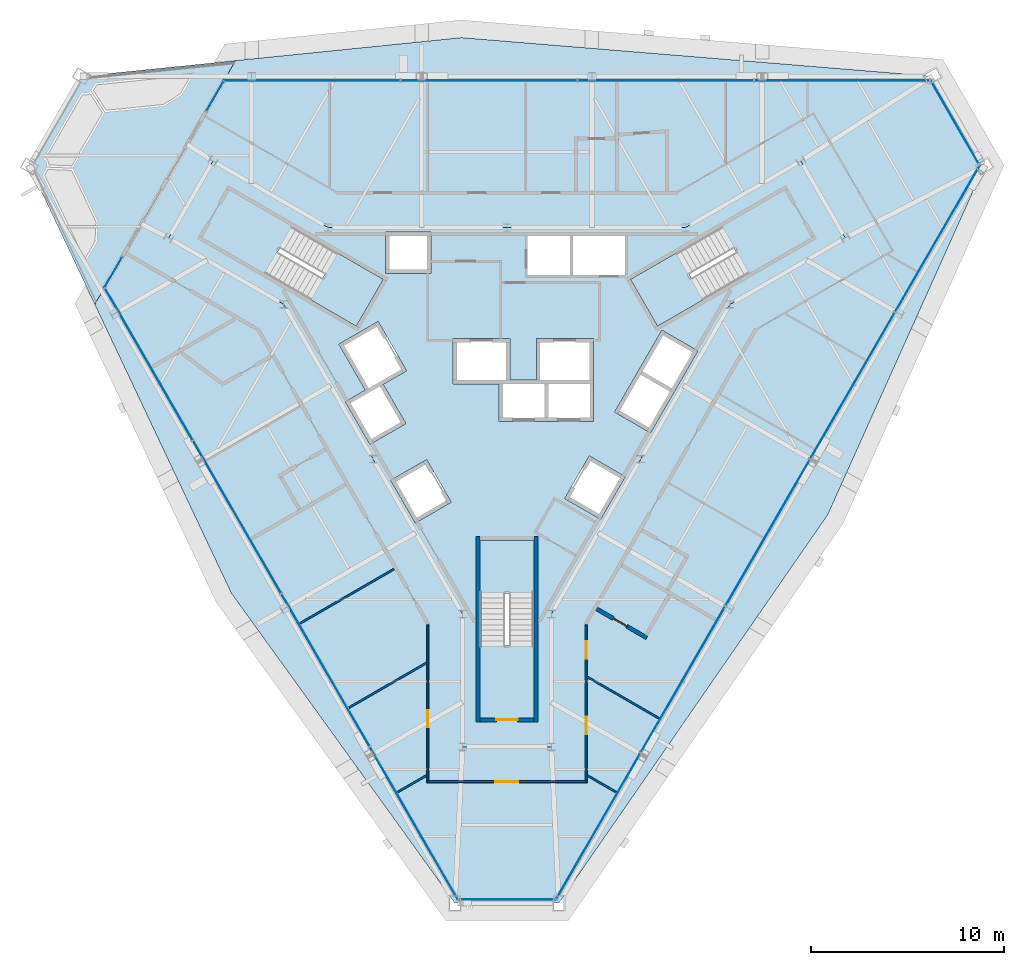
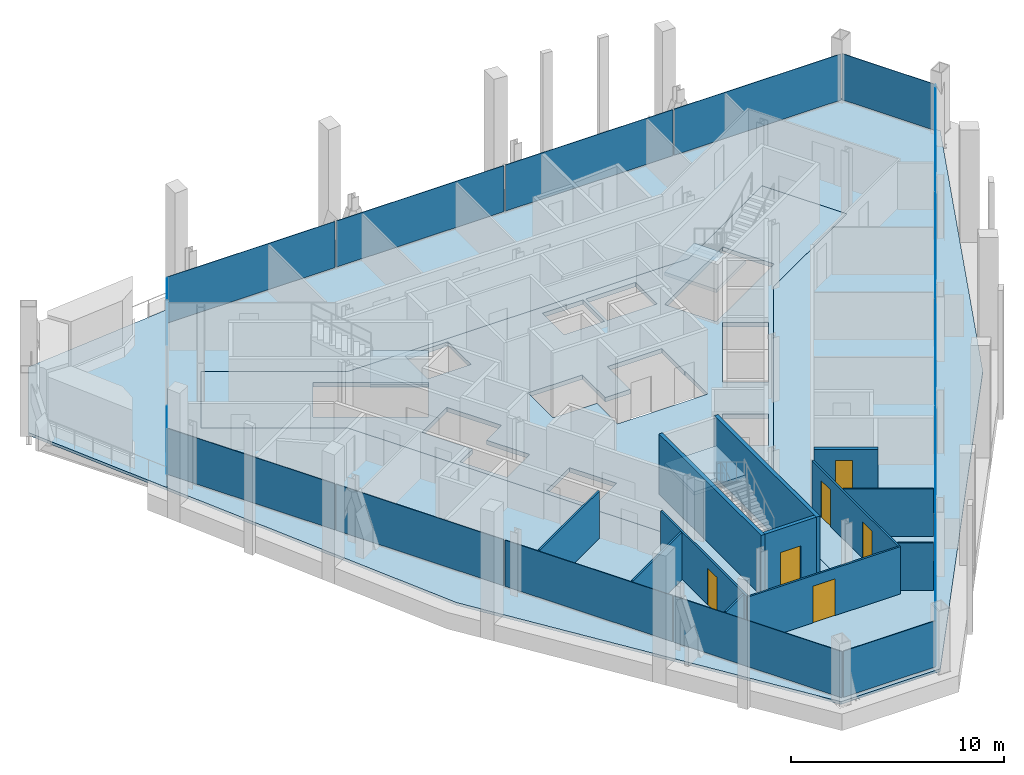
# One storey, part 8 of 14: 17 plates, 12 walls, 6 doors, 6 slabs, 6 openings, 10 elements without a shape of their own.
"""IFC4 building model written with IfcOpenShell, lengths in metres."""

from ifc_helpers import new_model, si_unit, direction, frame, frame_2d, origin, origin_2d, place, context, subcontext, project, spatial, polyline, rectangle, outline, extrude, material, layer, layer_set, type_object, element, fill, aggregate, save


model = new_model("IFC4")

# Units and contexts
model_context = context("Model", 3, precision=1e-05, world=origin(), true_north=direction((0.0, 1.0)))
body_context = subcontext(model_context, "Body", "Model", "MODEL_VIEW")
ifc_project = project(units=[si_unit("LENGTHUNIT", "METRE"), si_unit("AREAUNIT", "SQUARE_METRE"), si_unit("VOLUMEUNIT", "CUBIC_METRE"), si_unit("PLANEANGLEUNIT", "RADIAN"), si_unit("MASSUNIT", "GRAM", prefix="KILO")], contexts=[model_context])

# Site, building, storey
site_placement = place(None, origin())
site = spatial("IfcSite", under=ifc_project, at=site_placement, CompositionType="ELEMENT")
building_placement = place(site_placement, origin())
building = spatial("IfcBuilding", under=site, at=building_placement, Name="Verrane Prism Tower", CompositionType="ELEMENT")
storey_placement = place(building_placement, frame((0.0, 0.0, 228.60009765625)))
storey = spatial("IfcBuildingStorey", under=building, at=storey_placement, Name="L57", CompositionType="ELEMENT", Elevation=228.60009765625)

# Slabs
ifc_material_1 = material(Name="Concrete C35/45", Category="concrete")
ifc_layer_1 = layer(ifc_material_1, 0.159912109375)
ifc_layer_set_1 = layer_set([ifc_layer_1], Name="Composite floor slab")
slab_type_1 = type_object("IfcSlabType", Name="Composite floor slab", PredefinedType="FLOOR", material=ifc_layer_set_1)
slab_1_placement = place(storey_placement, frame((0.0, 0.0, -0.16015625)))
element("IfcSlab", 1, at=slab_1_placement, inside=storey, type_object=slab_type_1, Name="Floor slab L57", PredefinedType="FLOOR", context=body_context, shape_type="SweptSolid", body=[
    extrude(outline(polyline([(-2.349609375, 17.830078125), (22.0283203125, 15.830078125), (24.723388671875, 11.162109375), (16.6162109375, -6.880126953125), (2.695068359375, -26.9921875), (-2.695068359375, -26.9921875), (-14.266357421875, -10.949951171875), (-21.34375, 4.015625), (-14.054931640625, 16.640380859375), (-2.349609375, 17.830078125)]), holes=[polyline([(17.52001953125, 7.4599609375), (15.219970703125, 11.43994140625), (9.260009765625, 8.0), (0.0, 8.0), (-9.260009765625, 8.0), (-15.219970703125, 11.43994140625), (-17.52001953125, 7.4599609375), (-11.56005859375, 4.02001953125), (-6.929931640625, -4.0), (-2.300048828125, -12.02001953125), (-2.300048828125, -18.89990234375), (2.300048828125, -18.89990234375), (2.300048828125, -12.02001953125), (6.929931640625, -4.0), (11.56005859375, 4.02001953125), (17.52001953125, 7.4599609375)])]), origin(), (0.0, 0.0, 1.0), 0.16015625),
])
ifc_material_2 = material(Name="Concrete C40/50", Category="concrete")
ifc_layer_2 = layer(ifc_material_2, 0.25)
ifc_layer_set_2 = layer_set([ifc_layer_2], Name="Core floor slab 250 concrete C40/50")
slab_type_2 = type_object("IfcSlabType", Name="Core floor slab 250 concrete C40/50", PredefinedType="FLOOR", material=ifc_layer_set_2)
slab_2_placement = place(storey_placement, frame((0.0, 0.0, -0.25)))
element("IfcSlab", 2, at=slab_2_placement, inside=storey, type_object=slab_type_2, Name="Core floor L57", PredefinedType="FLOOR", context=body_context, shape_type="SweptSolid", body=[
    extrude(outline(polyline([(11.56005859375, 4.02001953125), (17.52001953125, 7.4599609375), (15.219970703125, 11.43994140625), (9.260009765625, 8.0), (0.0, 8.0), (-9.260009765625, 8.0), (-15.219970703125, 11.43994140625), (-17.52001953125, 7.4599609375), (-11.56005859375, 4.02001953125), (-6.929931640625, -4.0), (-2.300048828125, -12.02001953125), (-2.300048828125, -18.89990234375), (2.300048828125, -18.89990234375), (2.300048828125, -12.02001953125), (6.929931640625, -4.0), (11.56005859375, 4.02001953125)]), holes=[polyline([(1.39990234375, -8.199951171875), (1.39990234375, -13.639892578125), (-1.39990234375, -13.639892578125), (-1.39990234375, -8.199951171875), (1.39990234375, -8.199951171875)]), polyline([(-2.881103515625, -6.22998046875), (-4.742919921875, -7.304931640625), (-6.01806640625, -5.096923828125), (-4.156005859375, -4.02197265625), (-2.881103515625, -6.22998046875)]), polyline([(-7.801025390625, 2.887939453125), (-12.512939453125, 5.60791015625), (-11.113037109375, 8.031982421875), (-6.40087890625, 5.31201171875), (-7.801025390625, 2.887939453125)]), polyline([(-6.284912109375, 5.610107421875), (-6.284912109375, 7.760009765625), (-3.93505859375, 7.760009765625), (-3.93505859375, 5.610107421875), (-6.284912109375, 5.610107421875)]), polyline([(4.26611328125, -3.8310546875), (6.1279296875, -4.906005859375), (4.85302734375, -7.114990234375), (2.990966796875, -6.0400390625), (4.26611328125, -3.8310546875)]), polyline([(7.43798828125, -2.636962890625), (5.575927734375, -1.56201171875), (8.02587890625, 2.680908203125), (9.887939453125, 1.60595703125), (7.43798828125, -2.636962890625)]), polyline([(0.1650390625, 0.10009765625), (1.52490234375, 0.10009765625), (1.52490234375, 2.25), (4.47509765625, 2.25), (4.47509765625, 0.10009765625), (4.4951171875, 0.10009765625), (4.4951171875, -2.050048828125), (-0.405029296875, -2.050048828125), (-0.405029296875, -0.10009765625), (-2.784912109375, -0.10009765625), (-2.784912109375, 2.25), (0.1650390625, 2.25), (0.1650390625, 0.10009765625)]), polyline([(6.40087890625, 5.31201171875), (11.113037109375, 8.031982421875), (12.512939453125, 5.60791015625), (7.801025390625, 2.887939453125), (6.40087890625, 5.31201171875)]), polyline([(1.074951171875, 5.534912109375), (1.074951171875, 7.56005859375), (3.264892578125, 7.56005859375), (3.264892578125, 5.534912109375), (1.074951171875, 5.534912109375)]), polyline([(3.4150390625, 7.56005859375), (6.125, 7.56005859375), (6.125, 5.534912109375), (3.4150390625, 5.534912109375), (3.4150390625, 7.56005859375)]), polyline([(-5.23095703125, -2.159912109375), (-7.093017578125, -3.235107421875), (-8.367919921875, -1.02587890625), (-7.3291015625, -0.426025390625), (-8.7041015625, 1.955078125), (-6.66796875, 3.1298828125), (-5.193115234375, 0.574951171875), (-6.406005859375, -0.125), (-5.23095703125, -2.159912109375)])]), origin(), (0.0, 0.0, 1.0), 0.25),
])
ifc_material_3 = material(Name="Concrete C35/45", Category="concrete")
ifc_layer_3 = layer(ifc_material_3, 0.159912109375)
ifc_layer_set_3 = layer_set([ifc_layer_3], Name="Garden floor slab")
slab_type_3 = type_object("IfcSlabType", Name="Garden floor slab", PredefinedType="FLOOR", material=ifc_layer_set_3)
slab_3_placement = place(storey_placement, frame((0.0, 0.0, -0.16015625)))
element("IfcSlab", 3, at=slab_3_placement, inside=storey, type_object=slab_type_3, Name="Garden floor slab L57", PredefinedType="FLOOR", context=body_context, shape_type="SweptSolid", body=[
    extrude(outline(polyline([(-21.34375, 4.015625), (-14.054931640625, 16.640380859375), (-22.0283203125, 15.830078125), (-24.723388671875, 11.162109375), (-21.34375, 4.015625)])), origin(), (0.0, 0.0, 1.0), 0.16015625),
])

# Curtain wall, plate
ifc_material_4 = material(Name="Aluminium framed insulated glazing", Category="aluminium")
curtain_wall_type_1 = type_object("IfcCurtainWallType", Name="Curtain wall CW-C 4200 module", PredefinedType="NOTDEFINED", material=ifc_material_4)
curtain_wall_1_placement = place(storey_placement, origin())
curtain_wall_1 = element("IfcCurtainWall", 4, at=curtain_wall_1_placement, inside=storey, type_object=curtain_wall_type_1, Name="Glazed curtain wall garden cut line L57 1", PredefinedType="NOTDEFINED")
ifc_material_5 = material(Name="Low-iron insulating glass unit", Category="glass")
ifc_layer_4 = layer(ifc_material_5, 0.02392578125)
ifc_layer_set_4 = layer_set([ifc_layer_4], Name="Glazing panel IGU 24")
plate_type_1 = type_object("IfcPlateType", Name="Glazing panel IGU 24", PredefinedType="CURTAIN_PANEL", material=ifc_layer_set_4)
plate_1_placement = place(storey_placement, frame((-15.1181640625, 14.798828125, 0.0498046875), z_axis=(0.0, 0.0, 1.0), x_axis=(-0.49997298258, -0.866041001737, 0.0)))
plate_1 = element("IfcPlate", 5, at=plate_1_placement, type_object=plate_type_1, Name="CW57.3.1 panel 1", PredefinedType="CURTAIN_PANEL", context=body_context, shape_type="SweptSolid", body=[
    extrude(rectangle(XDim=1.75439453125, YDim=0.02392578125, at=origin_2d()), origin(), (0.0, 0.0, 1.0), 2.662841796875),
])
aggregate(curtain_wall_1, [plate_1])

curtain_wall_2_placement = place(storey_placement, origin())
curtain_wall_2 = element("IfcCurtainWall", 6, at=curtain_wall_2_placement, inside=storey, type_object=curtain_wall_type_1, Name="Glazed curtain wall garden cut line L57 2", PredefinedType="NOTDEFINED")
plate_2_placement = place(storey_placement, frame((-20.3876953125, 5.671630859375, 0.0498046875), z_axis=(0.0, 0.0, 1.0), x_axis=(-0.49997298258, -0.866041001737, 0.0)))
plate_2 = element("IfcPlate", 7, at=plate_2_placement, type_object=plate_type_1, Name="CW57.3.2 panel 1", PredefinedType="CURTAIN_PANEL", context=body_context, shape_type="SweptSolid", body=[
    extrude(rectangle(XDim=1.80419921875, YDim=0.02392578125, at=origin_2d()), origin(), (0.0, 0.0, 1.0), 2.662841796875),
])
aggregate(curtain_wall_2, [plate_2])

ifc_material_6 = material(Name="Aluminium framed insulated glazing", Category="aluminium")
curtain_wall_type_2 = type_object("IfcCurtainWallType", Name="Curtain wall CW-A 8400 module", PredefinedType="NOTDEFINED", material=ifc_material_6)
curtain_wall_3_placement = place(storey_placement, origin())
curtain_wall_3 = element("IfcCurtainWall", 8, at=curtain_wall_3_placement, inside=storey, type_object=curtain_wall_type_2, Name="Glazed curtain wall north-east corner L57", PredefinedType="NOTDEFINED")
ifc_material_7 = material(Name="Low-iron insulating glass unit", Category="glass")
ifc_layer_5 = layer(ifc_material_7, 0.031982421875)
ifc_layer_set_5 = layer_set([ifc_layer_5], Name="Glazing panel IGU 32")
plate_type_2 = type_object("IfcPlateType", Name="Glazing panel IGU 32", PredefinedType="CURTAIN_PANEL", material=ifc_layer_set_5)
plate_3_placement = place(storey_placement, frame((23.204833984375, 13.437744140625, 0.06982421875), z_axis=(0.0, 0.0, 1.0), x_axis=(-0.499995175981, 0.866028188915, 0.0)))
plate_3 = element("IfcPlate", 9, at=plate_3_placement, type_object=plate_type_2, Name="CW57.1 panel 1", PredefinedType="CURTAIN_PANEL", context=body_context, shape_type="SweptSolid", body=[
    extrude(rectangle(XDim=4.997802734375, YDim=0.031982421875, at=origin_2d()), origin(), (0.0, 0.0, 1.0), 2.642822265625),
])
aggregate(curtain_wall_3, [plate_3])

# Curtain wall, plates
curtain_wall_4_placement = place(storey_placement, origin())
curtain_wall_4 = element("IfcCurtainWall", 10, at=curtain_wall_4_placement, inside=storey, type_object=curtain_wall_type_2, Name="Glazed curtain wall north face L57", PredefinedType="NOTDEFINED")
plate_4_placement = place(storey_placement, frame((17.361572265625, 15.601806640625, 0.06982421875), z_axis=(0.0, 0.0, 1.0), x_axis=(-1.0, 0.0, 0.0)))
plate_4 = element("IfcPlate", 11, at=plate_4_placement, type_object=plate_type_2, Name="CW57.2 panel 1", PredefinedType="CURTAIN_PANEL", context=body_context, shape_type="SweptSolid", body=[
    extrude(rectangle(XDim=9.04736328125, YDim=0.031982421875, at=origin_2d()), origin(), (0.0, 0.0, 1.0), 2.642822265625),
])
plate_5_placement = place(storey_placement, frame((8.2265625, 15.601806640625, 0.06982421875), z_axis=(0.0, 0.0, 1.0), x_axis=(-1.0, 0.0, 0.0)))
plate_5 = element("IfcPlate", 12, at=plate_5_placement, type_object=plate_type_2, Name="CW57.2 panel 2", PredefinedType="CURTAIN_PANEL", context=body_context, shape_type="SweptSolid", body=[
    extrude(rectangle(XDim=9.08251953125, YDim=0.031982421875, at=origin_2d()), origin(), (0.0, 0.0, 1.0), 2.642822265625),
])
plate_6_placement = place(storey_placement, frame((-0.92578125, 15.601806640625, 0.06982421875), z_axis=(0.0, 0.0, 1.0), x_axis=(-1.0, 0.0, 0.0)))
plate_6 = element("IfcPlate", 13, at=plate_6_placement, type_object=plate_type_2, Name="CW57.2 panel 3", PredefinedType="CURTAIN_PANEL", context=body_context, shape_type="SweptSolid", body=[
    extrude(rectangle(XDim=9.08251953125, YDim=0.031982421875, at=origin_2d()), origin(), (0.0, 0.0, 1.0), 2.642822265625),
])
plate_7_placement = place(storey_placement, frame((-10.095703125, 15.601806640625, 0.06982421875), z_axis=(0.0, 0.0, 1.0), x_axis=(-1.0, 0.0, 0.0)))
plate_7 = element("IfcPlate", 14, at=plate_7_placement, type_object=plate_type_2, Name="CW57.2 panel 4", PredefinedType="CURTAIN_PANEL", context=body_context, shape_type="SweptSolid", body=[
    extrude(rectangle(XDim=9.117431640625, YDim=0.031982421875, at=origin_2d()), origin(), (0.0, 0.0, 1.0), 2.642822265625),
])
aggregate(curtain_wall_4, [plate_4, plate_5, plate_6, plate_7])

curtain_wall_5_placement = place(storey_placement, origin())
curtain_wall_5 = element("IfcCurtainWall", 15, at=curtain_wall_5_placement, inside=storey, type_object=curtain_wall_type_2, Name="Glazed curtain wall south-west face L57", PredefinedType="NOTDEFINED")
plate_8_placement = place(storey_placement, frame((-18.5419921875, 0.912109375, 0.06982421875), z_axis=(0.0, 0.0, 1.0), x_axis=(0.500000199034, -0.866025288872, 0.0)))
plate_8 = element("IfcPlate", 16, at=plate_8_placement, type_object=plate_type_2, Name="CW57.4 panel 1", PredefinedType="CURTAIN_PANEL", context=body_context, shape_type="SweptSolid", body=[
    extrude(rectangle(XDim=9.04736328125, YDim=0.031982421875, at=origin_2d()), origin(), (0.0, 0.0, 1.0), 2.642822265625),
])
plate_9_placement = place(storey_placement, frame((-13.974365234375, -6.9990234375, 0.06982421875), z_axis=(0.0, 0.0, 1.0), x_axis=(0.500000199034, -0.866025288872, 0.0)))
plate_9 = element("IfcPlate", 17, at=plate_9_placement, type_object=plate_type_2, Name="CW57.4 panel 2", PredefinedType="CURTAIN_PANEL", context=body_context, shape_type="SweptSolid", body=[
    extrude(rectangle(XDim=9.08251953125, YDim=0.031982421875, at=origin_2d()), origin(), (0.0, 0.0, 1.0), 2.642822265625),
])
plate_10_placement = place(storey_placement, frame((-9.398193359375, -14.92529296875, 0.06982421875), z_axis=(0.0, 0.0, 1.0), x_axis=(0.500000199034, -0.866025288872, 0.0)))
plate_10 = element("IfcPlate", 18, at=plate_10_placement, type_object=plate_type_2, Name="CW57.4 panel 3", PredefinedType="CURTAIN_PANEL", context=body_context, shape_type="SweptSolid", body=[
    extrude(rectangle(XDim=9.08251953125, YDim=0.031982421875, at=origin_2d()), origin(), (0.0, 0.0, 1.0), 2.642822265625),
])
plate_11_placement = place(storey_placement, frame((-4.813232421875, -22.86669921875, 0.06982421875), z_axis=(0.0, 0.0, 1.0), x_axis=(0.500000199034, -0.866025288872, 0.0)))
plate_11 = element("IfcPlate", 19, at=plate_11_placement, type_object=plate_type_2, Name="CW57.4 panel 4", PredefinedType="CURTAIN_PANEL", context=body_context, shape_type="SweptSolid", body=[
    extrude(rectangle(XDim=9.117431640625, YDim=0.031982421875, at=origin_2d()), origin(), (0.0, 0.0, 1.0), 2.642822265625),
])
aggregate(curtain_wall_5, [plate_8, plate_9, plate_10, plate_11])

# Curtain wall, plate
curtain_wall_6_placement = place(storey_placement, origin())
curtain_wall_6 = element("IfcCurtainWall", 20, at=curtain_wall_6_placement, inside=storey, type_object=curtain_wall_type_2, Name="Glazed curtain wall south corner L57", PredefinedType="NOTDEFINED")
plate_12_placement = place(storey_placement, frame((0.034912109375, -26.814697265625, 0.06982421875), z_axis=(0.0, 0.0, 1.0), x_axis=(1.0, 0.0, 0.0)))
plate_12 = element("IfcPlate", 21, at=plate_12_placement, type_object=plate_type_2, Name="CW57.5 panel 1", PredefinedType="CURTAIN_PANEL", context=body_context, shape_type="SweptSolid", body=[
    extrude(rectangle(XDim=4.997802734375, YDim=0.031982421875, at=origin_2d()), origin(), (0.0, 0.0, 1.0), 2.642822265625),
])
aggregate(curtain_wall_6, [plate_12])

# Curtain wall, plates
curtain_wall_7_placement = place(storey_placement, origin())
curtain_wall_7 = element("IfcCurtainWall", 22, at=curtain_wall_7_placement, inside=storey, type_object=curtain_wall_type_2, Name="Glazed curtain wall south-east face L57", PredefinedType="NOTDEFINED")
plate_13_placement = place(storey_placement, frame((4.73828125, -22.996826171875, 0.06982421875), z_axis=(0.0, 0.0, 1.0), x_axis=(0.500000937764, 0.866024862365, 0.0)))
plate_13 = element("IfcPlate", 23, at=plate_13_placement, type_object=plate_type_2, Name="CW57.6 panel 1", PredefinedType="CURTAIN_PANEL", context=body_context, shape_type="SweptSolid", body=[
    extrude(rectangle(XDim=8.677001953125, YDim=0.031982421875, at=origin_2d()), origin(), (0.0, 0.0, 1.0), 2.642822265625),
])
plate_14_placement = place(storey_placement, frame((9.12060546875, -15.406494140625, 0.06982421875), z_axis=(0.0, 0.0, 1.0), x_axis=(0.500000937764, 0.866024862365, 0.0)))
plate_14 = element("IfcPlate", 24, at=plate_14_placement, type_object=plate_type_2, Name="CW57.6 panel 2", PredefinedType="CURTAIN_PANEL", context=body_context, shape_type="SweptSolid", body=[
    extrude(rectangle(XDim=8.712158203125, YDim=0.031982421875, at=origin_2d()), origin(), (0.0, 0.0, 1.0), 2.642822265625),
])
plate_15_placement = place(storey_placement, frame((13.511474609375, -7.80078125, 0.06982421875), z_axis=(0.0, 0.0, 1.0), x_axis=(0.500000937764, 0.866024862365, 0.0)))
plate_15 = element("IfcPlate", 25, at=plate_15_placement, type_object=plate_type_2, Name="CW57.6 panel 3", PredefinedType="CURTAIN_PANEL", context=body_context, shape_type="SweptSolid", body=[
    extrude(rectangle(XDim=8.712158203125, YDim=0.031982421875, at=origin_2d()), origin(), (0.0, 0.0, 1.0), 2.642822265625),
])
plate_16_placement = place(storey_placement, frame((17.902587890625, -0.1953125, 0.06982421875), z_axis=(0.0, 0.0, 1.0), x_axis=(0.500000937764, 0.866024862365, 0.0)))
plate_16 = element("IfcPlate", 26, at=plate_16_placement, type_object=plate_type_2, Name="CW57.6 panel 4", PredefinedType="CURTAIN_PANEL", context=body_context, shape_type="SweptSolid", body=[
    extrude(rectangle(XDim=8.712158203125, YDim=0.031982421875, at=origin_2d()), origin(), (0.0, 0.0, 1.0), 2.642822265625),
])
plate_17_placement = place(storey_placement, frame((22.302490234375, 7.42529296875, 0.06982421875), z_axis=(0.0, 0.0, 1.0), x_axis=(0.500000937764, 0.866024862365, 0.0)))
plate_17 = element("IfcPlate", 27, at=plate_17_placement, type_object=plate_type_2, Name="CW57.6 panel 5", PredefinedType="CURTAIN_PANEL", context=body_context, shape_type="SweptSolid", body=[
    extrude(rectangle(XDim=8.7470703125, YDim=0.031982421875, at=origin_2d()), origin(), (0.0, 0.0, 1.0), 2.642822265625),
])
aggregate(curtain_wall_7, [plate_13, plate_14, plate_15, plate_16, plate_17])

# Stair, slab
ifc_material_8 = material(Name="Concrete C40/50", Category="concrete")
stair_type = type_object("IfcStairType", Name="Exit stair 1300 dog-leg precast concrete C40/50", PredefinedType="HALF_TURN_STAIR", material=ifc_material_8)
stair_1_placement = place(storey_placement, origin())
stair_1 = element("IfcStair", 28, at=stair_1_placement, inside=storey, type_object=stair_type, Name="Stair 1 L57", PredefinedType="HALF_TURN_STAIR")
ifc_material_9 = material(Name="Concrete C40/50", Category="concrete")
ifc_layer_6 = layer(ifc_material_9, 0.199951171875)
ifc_layer_set_6 = layer_set([ifc_layer_6], Name="Stair landing 200 precast concrete C40/50")
slab_type_4 = type_object("IfcSlabType", Name="Stair landing 200 precast concrete C40/50", PredefinedType="LANDING", material=ifc_layer_set_6)
slab_4_placement = place(storey_placement, frame((0.0, 0.0, 1.64990234375)))
slab_4 = element("IfcSlab", 29, at=slab_4_placement, type_object=slab_type_4, Name="Stair 1 landing 1", PredefinedType="LANDING", context=body_context, shape_type="SweptSolid", body=[
    extrude(outline(polyline([(8.791748046875, 6.6923828125), (6.4013671875, 5.3125), (7.801513671875, 2.887451171875), (10.191650390625, 4.267578125), (8.791748046875, 6.6923828125)])), origin(), (0.0, 0.0, 1.0), 0.199951171875),
])
aggregate(stair_1, [slab_4])

stair_2_placement = place(storey_placement, origin())
stair_2 = element("IfcStair", 30, at=stair_2_placement, inside=storey, type_object=stair_type, Name="Stair 2 L57", PredefinedType="HALF_TURN_STAIR")
slab_5_placement = place(storey_placement, frame((0.0, 0.0, 1.64990234375)))
slab_5 = element("IfcSlab", 31, at=slab_5_placement, type_object=slab_type_4, Name="Stair 2 landing 1", PredefinedType="LANDING", context=body_context, shape_type="SweptSolid", body=[
    extrude(outline(polyline([(-10.191650390625, 4.267578125), (-7.801513671875, 2.887451171875), (-6.4013671875, 5.3125), (-8.791748046875, 6.6923828125), (-10.191650390625, 4.267578125)])), origin(), (0.0, 0.0, 1.0), 0.199951171875),
])
aggregate(stair_2, [slab_5])

stair_3_placement = place(storey_placement, origin())
stair_3 = element("IfcStair", 32, at=stair_3_placement, inside=storey, type_object=stair_type, Name="Stair 3 L57", PredefinedType="HALF_TURN_STAIR")
slab_6_placement = place(storey_placement, frame((0.0, 0.0, 1.64990234375)))
slab_6 = element("IfcSlab", 33, at=slab_6_placement, type_object=slab_type_4, Name="Stair 3 landing 1", PredefinedType="LANDING", context=body_context, shape_type="SweptSolid", body=[
    extrude(outline(polyline([(1.39990234375, -10.9599609375), (1.39990234375, -8.199951171875), (-1.39990234375, -8.199951171875), (-1.39990234375, -10.9599609375), (1.39990234375, -10.9599609375)])), origin(), (0.0, 0.0, 1.0), 0.199951171875),
])
aggregate(stair_3, [slab_6])

# Wall, opening, door
ifc_material_10 = material(Name="Concrete C40/50", Category="concrete")
ifc_layer_7 = layer(ifc_material_10, 0.199951171875)
ifc_layer_set_7 = layer_set([ifc_layer_7], Name="CW-200 stair core wall concrete C40/50 3 h")
wall_type_1 = type_object("IfcWallType", Name="CW-200 stair core wall concrete C40/50 3 h", PredefinedType="PARTITIONING", material=ifc_layer_set_7)
wall_1_placement = place(storey_placement, frame((-1.39990234375, -17.5, 0.0), z_axis=(0.0, 0.0, 1.0), x_axis=(1.0, 0.0, 0.0)))
wall_1 = element("IfcWall", 34, at=wall_1_placement, inside=storey, type_object=wall_type_1, Name="Stair 3 enclosure wall", PredefinedType="PARTITIONING", context=body_context, shape_type="SweptSolid", body=[
    extrude(rectangle(XDim=2.7998046875, YDim=0.199951171875, at=frame_2d((1.39990234375, 0.0))), origin(), (0.0, 0.0, 1.0), 3.449951171875),
])
opening_1_placement = place(wall_1_placement, frame((0.85009765625, 0.0, 0.0)))
opening_1 = element("IfcOpeningElement", 35, at=opening_1_placement, cuts=wall_1, Name="Opening D57502", PredefinedType="OPENING", context=body_context, shape_type="SweptSolid", body=[
    extrude(rectangle(XDim=1.10009765625, YDim=2.10009765625, at=frame_2d((0.550048828125, 1.050048828125))), frame((0.0, 0.10986328125, 0.0), z_axis=(0.0, -1.0, 0.0), x_axis=(1.0, 0.0, 0.0)), (0.0, 0.0, 1.0), 0.219970703125),
])
ifc_material_11 = material(Name="Timber veneered door leaf", Category="wood")
door_type_1 = type_object("IfcDoorType", Name="DR-1100x2100 FD90 single leaf stair", OperationType="NOTDEFINED", PredefinedType="DOOR", material=ifc_material_11)
door_1_placement = place(opening_1_placement, origin())
door_1 = element("IfcDoor", 36, at=door_1_placement, inside=storey, type_object=door_type_1, Name="Stair 3 door", OperationType="SINGLE_SWING_LEFT", OverallHeight=2.10009765625, OverallWidth=1.10009765625, PredefinedType="DOOR", context=body_context, shape_type="SweptSolid", body=[
    extrude(rectangle(XDim=1.10009765625, YDim=2.10009765625, at=frame_2d((0.550048828125, 1.050048828125))), frame((0.0, 0.02490234375, 0.0), z_axis=(0.0, -1.0, 0.0), x_axis=(1.0, 0.0, 0.0)), (0.0, 0.0, 1.0), 0.050048828125),
])
fill(opening_1, door_1)

# Walls
for number, where, z_axis, x_axis, name in (
    (37, (1.5, -8.0, 0.0), (0.0, 0.0, 1.0), (0.0, -1.0, 0.0), "Stair 3 enclosure wall"),
    (38, (-1.5, -8.0, 0.0), (0.0, 0.0, 1.0), (0.0, -1.0, 0.0), "Stair 3 enclosure wall"),
):
    element("IfcWall", number, at=place(storey_placement, frame(where, z_axis=z_axis, x_axis=x_axis)), inside=storey, type_object=wall_type_1, Name=name, PredefinedType="PARTITIONING", context=body_context, shape_type="SweptSolid", body=[
        extrude(rectangle(XDim=9.60009765625, YDim=0.199951171875, at=frame_2d((4.800048828125, 0.0))), origin(), (0.0, 0.0, 1.0), 3.449951171875),
    ])
ifc_material_12 = material(Name="Gypsum board partition", Category="other")
ifc_layer_8 = layer(ifc_material_12, 0.10009765625)
ifc_layer_set_8 = layer_set([ifc_layer_8], Name="PW-100 room partition")
wall_type_2 = type_object("IfcWallType", Name="PW-100 room partition", PredefinedType="PARTITIONING", material=ifc_layer_set_8)
wall_2_placement = place(storey_placement, frame((-10.692626953125, -12.491943359375, 0.0), z_axis=(0.0, 0.0, 1.0), x_axis=(0.866017266313, 0.500014094249, 0.0)))
element("IfcWall", 39, at=wall_2_placement, inside=storey, type_object=wall_type_2, Name="Room partition 011", PredefinedType="PARTITIONING", context=body_context, shape_type="SweptSolid", body=[
    extrude(rectangle(XDim=5.603759765625, YDim=0.10009765625, at=frame_2d((2.8017578125, 0.0))), origin(), (0.0, 0.0, 1.0), 2.712890625),
])
wall_3_placement = place(storey_placement, frame((-8.16796875, -16.8642578125, 0.0), z_axis=(0.0, 0.0, 1.0), x_axis=(0.865969539539, 0.50009674723, 0.0)))
element("IfcWall", 40, at=wall_3_placement, inside=storey, type_object=wall_type_2, Name="Room partition 014", PredefinedType="PARTITIONING", context=body_context, shape_type="SweptSolid", body=[
    extrude(rectangle(XDim=4.61083984375, YDim=0.10009765625, at=frame_2d((2.305419921875, 0.0))), origin(), (0.0, 0.0, 1.0), 2.712890625),
])
wall_4_placement = place(storey_placement, frame((-5.643798828125, -21.236083984375, 0.0), z_axis=(0.0, 0.0, 1.0), x_axis=(0.866046548355, 0.49996337474, 0.0)))
element("IfcWall", 41, at=wall_4_placement, inside=storey, type_object=wall_type_2, Name="Room partition 015", PredefinedType="PARTITIONING", context=body_context, shape_type="SweptSolid", body=[
    extrude(rectangle(XDim=1.696044921875, YDim=0.10009765625, at=frame_2d((0.84814453125, 0.0))), origin(), (0.0, 0.0, 1.0), 2.712890625),
])

# Wall, opening, door
wall_5_placement = place(storey_placement, frame((-4.10009765625, -20.64990234375, 0.0), z_axis=(0.0, 0.0, 1.0), x_axis=(0.0, 1.0, 0.0)))
wall_5 = element("IfcWall", 42, at=wall_5_placement, inside=storey, type_object=wall_type_2, Name="Room partition 017", PredefinedType="PARTITIONING", context=body_context, shape_type="SweptSolid", body=[
    extrude(rectangle(XDim=8.06298828125, YDim=0.10009765625, at=frame_2d((4.031494140625, 0.0))), origin(), (0.0, 0.0, 1.0), 2.712890625),
])
opening_2_placement = place(wall_5_placement, frame((2.7548828125, 0.0, 0.0)))
opening_2 = element("IfcOpeningElement", 43, at=opening_2_placement, cuts=wall_5, Name="Opening D57017", PredefinedType="OPENING", context=body_context, shape_type="SweptSolid", body=[
    extrude(rectangle(XDim=0.89990234375, YDim=2.10009765625, at=frame_2d((0.449951171875, 1.050048828125))), frame((0.0, 0.06005859375, 0.0), z_axis=(0.0, -1.0, 0.0), x_axis=(1.0, 0.0, 0.0)), (0.0, 0.0, 1.0), 0.1201171875),
])
ifc_material_13 = material(Name="Timber veneered door leaf", Category="wood")
door_type_2 = type_object("IfcDoorType", Name="DR-900x2100 single leaf unit", OperationType="NOTDEFINED", PredefinedType="DOOR", material=ifc_material_13)
door_2_placement = place(opening_2_placement, origin())
door_2 = element("IfcDoor", 44, at=door_2_placement, inside=storey, type_object=door_type_2, Name="Study door", OperationType="SINGLE_SWING_LEFT", OverallHeight=2.10009765625, OverallWidth=0.89990234375, PredefinedType="DOOR", context=body_context, shape_type="SweptSolid", body=[
    extrude(rectangle(XDim=0.89990234375, YDim=2.10009765625, at=frame_2d((0.449951171875, 1.050048828125))), frame((0.0, 0.02490234375, 0.0), z_axis=(0.0, -1.0, 0.0), x_axis=(1.0, 0.0, 0.0)), (0.0, 0.0, 1.0), 0.050048828125),
])
fill(opening_2, door_2)

wall_6_placement = place(storey_placement, frame((4.14990234375, -20.699951171875, 0.0), z_axis=(0.0, 0.0, 1.0), x_axis=(-1.0, 0.0, 0.0)))
wall_6 = element("IfcWall", 45, at=wall_6_placement, inside=storey, type_object=wall_type_2, Name="Room partition 018", PredefinedType="PARTITIONING", context=body_context, shape_type="SweptSolid", body=[
    extrude(rectangle(XDim=8.2998046875, YDim=0.10009765625, at=frame_2d((4.14990234375, 0.0))), origin(), (0.0, 0.0, 1.0), 2.712890625),
])
opening_3_placement = place(wall_6_placement, frame((3.550048828125, 0.0, 0.0)))
opening_3 = element("IfcOpeningElement", 46, at=opening_3_placement, cuts=wall_6, Name="Opening D57018", PredefinedType="OPENING", context=body_context, shape_type="SweptSolid", body=[
    extrude(rectangle(XDim=1.199951171875, YDim=2.10009765625, at=frame_2d((0.60009765625, 1.050048828125))), frame((0.0, 0.06005859375, 0.0), z_axis=(0.0, -1.0, 0.0), x_axis=(1.0, 0.0, 0.0)), (0.0, 0.0, 1.0), 0.1201171875),
])
ifc_material_14 = material(Name="Timber veneered door leaf", Category="wood")
door_type_3 = type_object("IfcDoorType", Name="DR-1200x2100 single leaf unit", OperationType="NOTDEFINED", PredefinedType="DOOR", material=ifc_material_14)
door_3_placement = place(opening_3_placement, origin())
door_3 = element("IfcDoor", 47, at=door_3_placement, inside=storey, type_object=door_type_3, Name="Living And Dining Room door", OperationType="SINGLE_SWING_LEFT", OverallHeight=2.10009765625, OverallWidth=1.199951171875, PredefinedType="DOOR", context=body_context, shape_type="SweptSolid", body=[
    extrude(rectangle(XDim=1.199951171875, YDim=2.10009765625, at=frame_2d((0.60009765625, 1.050048828125))), frame((0.0, 0.02490234375, 0.0), z_axis=(0.0, -1.0, 0.0), x_axis=(1.0, 0.0, 0.0)), (0.0, 0.0, 1.0), 0.050048828125),
])
fill(opening_3, door_3)

# Wall, openings, doors
wall_7_placement = place(storey_placement, frame((4.10009765625, -12.5869140625, 0.0), z_axis=(0.0, 0.0, 1.0), x_axis=(0.0, -1.0, 0.0)))
wall_7 = element("IfcWall", 48, at=wall_7_placement, inside=storey, type_object=wall_type_2, Name="Room partition 022", PredefinedType="PARTITIONING", context=body_context, shape_type="SweptSolid", body=[
    extrude(rectangle(XDim=8.06298828125, YDim=0.10009765625, at=frame_2d((4.031494140625, 0.0))), origin(), (0.0, 0.0, 1.0), 2.712890625),
])
opening_4_placement = place(wall_7_placement, frame((4.758056640625, 0.0, 0.0)))
opening_4 = element("IfcOpeningElement", 49, at=opening_4_placement, cuts=wall_7, Name="Opening D57019", PredefinedType="OPENING", context=body_context, shape_type="SweptSolid", body=[
    extrude(rectangle(XDim=0.89990234375, YDim=2.10009765625, at=frame_2d((0.449951171875, 1.050048828125))), frame((0.0, 0.06005859375, 0.0), z_axis=(0.0, -1.0, 0.0), x_axis=(1.0, 0.0, 0.0)), (0.0, 0.0, 1.0), 0.1201171875),
])
opening_5_placement = place(wall_7_placement, frame((0.85400390625, 0.0, 0.0)))
opening_5 = element("IfcOpeningElement", 50, at=opening_5_placement, cuts=wall_7, Name="Opening D57020", PredefinedType="OPENING", context=body_context, shape_type="SweptSolid", body=[
    extrude(rectangle(XDim=0.89990234375, YDim=2.10009765625, at=frame_2d((0.449951171875, 1.050048828125))), frame((0.0, 0.06005859375, 0.0), z_axis=(0.0, -1.0, 0.0), x_axis=(1.0, 0.0, 0.0)), (0.0, 0.0, 1.0), 0.1201171875),
])
ifc_material_15 = material(Name="Timber veneered door leaf", Category="wood")
door_type_4 = type_object("IfcDoorType", Name="DR-900x2100 single leaf inner", OperationType="NOTDEFINED", PredefinedType="DOOR", material=ifc_material_15)
door_4_placement = place(opening_5_placement, origin())
door_4 = element("IfcDoor", 51, at=door_4_placement, inside=storey, type_object=door_type_4, Name="Master Bedroom door", OperationType="SINGLE_SWING_LEFT", OverallHeight=2.10009765625, OverallWidth=0.89990234375, PredefinedType="DOOR", context=body_context, shape_type="SweptSolid", body=[
    extrude(rectangle(XDim=0.89990234375, YDim=2.10009765625, at=frame_2d((0.449951171875, 1.050048828125))), frame((0.0, 0.02490234375, 0.0), z_axis=(0.0, -1.0, 0.0), x_axis=(1.0, 0.0, 0.0)), (0.0, 0.0, 1.0), 0.050048828125),
])
fill(opening_5, door_4)
door_5_placement = place(opening_4_placement, origin())
door_5 = element("IfcDoor", 52, at=door_5_placement, inside=storey, type_object=door_type_2, Name="Kitchen door", OperationType="SINGLE_SWING_RIGHT", OverallHeight=2.10009765625, OverallWidth=0.89990234375, PredefinedType="DOOR", context=body_context, shape_type="SweptSolid", body=[
    extrude(rectangle(XDim=0.89990234375, YDim=2.10009765625, at=frame_2d((0.449951171875, 1.050048828125))), frame((0.0, 0.02490234375, 0.0), z_axis=(0.0, -1.0, 0.0), x_axis=(1.0, 0.0, 0.0)), (0.0, 0.0, 1.0), 0.050048828125),
])
fill(opening_4, door_5)

# Walls
wall_8_placement = place(storey_placement, frame((4.175048828125, -20.38818359375, 0.0), z_axis=(0.0, 0.0, 1.0), x_axis=(0.866046548355, -0.49996337474, 0.0)))
element("IfcWall", 53, at=wall_8_placement, inside=storey, type_object=wall_type_2, Name="Room partition 023", PredefinedType="PARTITIONING", context=body_context, shape_type="SweptSolid", body=[
    extrude(rectangle(XDim=1.696044921875, YDim=0.10009765625, at=frame_2d((0.84814453125, 0.0))), origin(), (0.0, 0.0, 1.0), 2.712890625),
])
wall_9_placement = place(storey_placement, frame((4.175048828125, -15.2841796875, 0.0), z_axis=(0.0, 0.0, 1.0), x_axis=(0.86603819212, -0.4999778493, 0.0)))
element("IfcWall", 54, at=wall_9_placement, inside=storey, type_object=wall_type_2, Name="Room partition 024", PredefinedType="PARTITIONING", context=body_context, shape_type="SweptSolid", body=[
    extrude(rectangle(XDim=4.247802734375, YDim=0.10009765625, at=frame_2d((2.1240234375, 0.0))), origin(), (0.0, 0.0, 1.0), 2.712890625),
])

# Wall, opening, door
ifc_material_16 = material(Name="Gypsum board partition", Category="other")
ifc_layer_9 = layer(ifc_material_16, 0.199951171875)
ifc_layer_set_9 = layer_set([ifc_layer_9], Name="PW-200 plumbing wall")
wall_type_3 = type_object("IfcWallType", Name="PW-200 plumbing wall", PredefinedType="PARTITIONING", material=ifc_layer_set_9)
wall_10_placement = place(storey_placement, frame((4.647705078125, -11.75390625, 0.0), z_axis=(0.0, 0.0, 1.0), x_axis=(0.866010750942, -0.50002537861, 0.0)))
wall_10 = element("IfcWall", 55, at=wall_10_placement, inside=storey, type_object=wall_type_3, Name="Plumbing wall 026", PredefinedType="PARTITIONING", context=body_context, shape_type="SweptSolid", body=[
    extrude(rectangle(XDim=2.999755859375, YDim=0.199951171875, at=frame_2d((1.5, 0.0))), origin(), (0.0, 0.0, 1.0), 2.712890625),
])
opening_6_placement = place(wall_10_placement, frame((1.0, 0.0, 0.0)))
opening_6 = element("IfcOpeningElement", 56, at=opening_6_placement, cuts=wall_10, Name="Opening D57021", PredefinedType="OPENING", context=body_context, shape_type="SweptSolid", body=[
    extrude(rectangle(XDim=0.800048828125, YDim=2.10009765625, at=frame_2d((0.39990234375, 1.050048828125))), frame((0.0, 0.10986328125, 0.0), z_axis=(0.0, -1.0, 0.0), x_axis=(1.0, 0.0, 0.0)), (0.0, 0.0, 1.0), 0.219970703125),
])
ifc_material_17 = material(Name="Timber veneered door leaf", Category="wood")
door_type_5 = type_object("IfcDoorType", Name="DR-800x2100 single leaf bath", OperationType="NOTDEFINED", PredefinedType="DOOR", material=ifc_material_17)
door_6_placement = place(opening_6_placement, origin())
door_6 = element("IfcDoor", 57, at=door_6_placement, inside=storey, type_object=door_type_5, Name="Master Bathroom door", OperationType="SINGLE_SWING_LEFT", OverallHeight=2.10009765625, OverallWidth=0.800048828125, PredefinedType="DOOR", context=body_context, shape_type="SweptSolid", body=[
    extrude(rectangle(XDim=0.800048828125, YDim=2.10009765625, at=frame_2d((0.39990234375, 1.050048828125))), frame((0.0, 0.02490234375, 0.0), z_axis=(0.0, -1.0, 0.0), x_axis=(1.0, 0.0, 0.0)), (0.0, 0.0, 1.0), 0.050048828125),
])
fill(opening_6, door_6)

save(model, "model.ifc")
